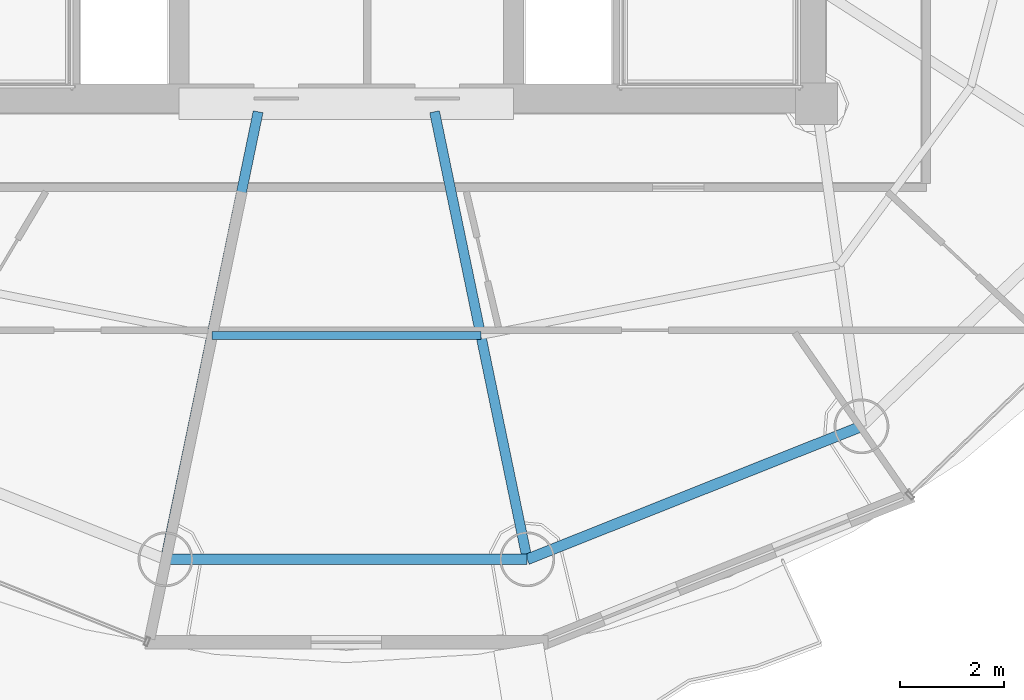
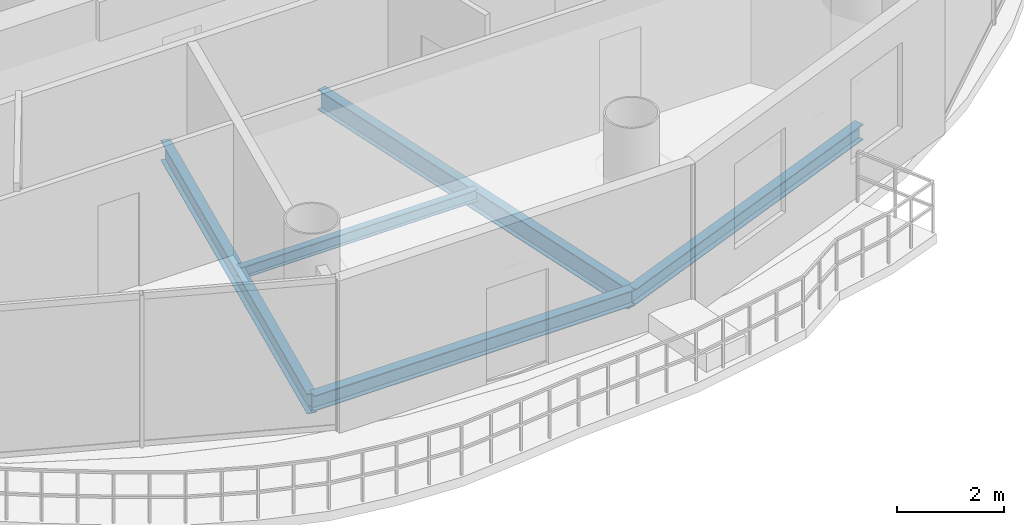
# One storey, part 5 of 23: 5 beams.
"""IFC4 building model written with IfcOpenShell, lengths in metres."""

from ifc_helpers import new_model, si_unit, direction, frame, origin, origin_2d, place, context, subcontext, project, spatial, i_section, extrude, material, material_profile, profile_set, type_object, element, save


model = new_model("IFC4")

# Units and contexts
model_context = context("Model", 3, precision=1e-05, world=origin(), true_north=direction((-0.2419218956, 0.970295726276)))
body_context = subcontext(model_context, "Body", "Model", "MODEL_VIEW")
ifc_project = project(units=[si_unit("LENGTHUNIT", "METRE"), si_unit("AREAUNIT", "SQUARE_METRE"), si_unit("VOLUMEUNIT", "CUBIC_METRE"), si_unit("PLANEANGLEUNIT", "RADIAN"), si_unit("MASSUNIT", "GRAM", prefix="KILO")], contexts=[model_context])

# Site, building, storey
site_placement = place(None, origin())
site = spatial("IfcSite", under=ifc_project, at=site_placement, CompositionType="ELEMENT")
building_placement = place(site_placement, origin())
building = spatial("IfcBuilding", under=site, at=building_placement, Name="Cobrevalo Terracotta Tower", CompositionType="ELEMENT")
storey_placement = place(building_placement, frame((0.0, 0.0, 248.199951171875)))
storey = spatial("IfcBuildingStorey", under=building, at=storey_placement, Name="L65", CompositionType="ELEMENT", Elevation=248.199951171875)

# Beams
ifc_material = material(Name="Steel S355", Category="steel")
ifc_material_profile_1 = material_profile(ifc_material, i_section(OverallWidth=0.19091796875, OverallDepth=0.4599609375, WebThickness=0.010009765625, FlangeThickness=0.01611328125, at=origin_2d()), Name="W 460x82")
ifc_profile_set_1 = profile_set([ifc_material_profile_1], Name="Steel S355")
beam_type_1 = type_object("IfcBeamType", Name="Structural Beam W 460x82 (Steel S355)", PredefinedType="BEAM", material=ifc_profile_set_1)
for number, where, z_axis, x_axis, name in (
    (1, (34.537109375, 10.07763671875, -0.489990234375), (0.202781841237, 0.9792239401, 0.0), (-0.9792239401, 0.202781841237, 0.0), "L65 radial floor girder 12"),
    (2, (41.462890625, 10.07763671875, -0.489990234375), (-0.202781841237, 0.9792239401, 0.0), (-0.9792239401, -0.202781841237, 0.0), "L65 radial floor girder 13"),
):
    element("IfcBeam", number, at=place(storey_placement, frame(where, z_axis=z_axis, x_axis=x_axis)), inside=storey, type_object=beam_type_1, Name=name, PredefinedType="BEAM", context=body_context, shape_type="SweptSolid", body=[
        extrude(i_section(OverallWidth=0.19091796875, OverallDepth=0.4599609375, WebThickness=0.010009765625, FlangeThickness=0.01611328125, at=origin_2d()), origin(), (0.0, 0.0, 1.0), 8.749267578125),
    ])
ifc_material_profile_2 = material_profile(ifc_material, i_section(OverallWidth=0.14794921875, OverallDepth=0.26611328125, WebThickness=0.007568359375, FlangeThickness=0.012939453125, at=origin_2d()), Name="W 250x44.8")
ifc_profile_set_2 = profile_set([ifc_material_profile_2], Name="Steel S355")
beam_type_2 = type_object("IfcBeamType", Name="Structural Joist W 250x44.8 (Steel S355)", PredefinedType="JOIST", material=ifc_profile_set_2)
beam_1_placement = place(storey_placement, frame((35.42431640625, 14.361328125, -0.39306640625), z_axis=(1.0, 0.0, 0.0), x_axis=(0.0, 1.0, 0.0)))
element("IfcBeam", 3, at=beam_1_placement, inside=storey, type_object=beam_type_2, Name="L65 circumferential secondary floor joist 12", PredefinedType="JOIST", context=body_context, shape_type="SweptSolid", body=[
    extrude(i_section(OverallWidth=0.14794921875, OverallDepth=0.26611328125, WebThickness=0.007568359375, FlangeThickness=0.012939453125, at=origin_2d()), origin(), (0.0, 0.0, 1.0), 5.1513671875),
])
ifc_material_profile_3 = material_profile(ifc_material, i_section(OverallWidth=0.205078125, OverallDepth=0.35400390625, WebThickness=0.009521484375, FlangeThickness=0.016845703125, at=origin_2d()), Name="W 360x79")
ifc_profile_set_3 = profile_set([ifc_material_profile_3], Name="Steel S355")
beam_type_3 = type_object("IfcBeamType", Name="Structural Spandrel W 360x79 (Steel S355)", PredefinedType="SPANDREL", material=ifc_profile_set_3)
beam_2_placement = place(storey_placement, frame((34.537109375, 10.07763671875, -0.43701171875), z_axis=(1.0, 0.0, 0.0), x_axis=(0.0, 1.0, 0.0)))
element("IfcBeam", 4, at=beam_2_placement, inside=storey, type_object=beam_type_3, Name="L65 perimeter ring spandrel 12", PredefinedType="SPANDREL", context=body_context, shape_type="SweptSolid", body=[
    extrude(i_section(OverallWidth=0.205078125, OverallDepth=0.35400390625, WebThickness=0.009521484375, FlangeThickness=0.016845703125, at=origin_2d()), origin(), (0.0, 0.0, 1.0), 6.92578125),
])
beam_3_placement = place(storey_placement, frame((41.462890625, 10.07763671875, -0.43701171875), z_axis=(0.929149986048, 0.369702993533, 0.0), x_axis=(-0.369702993533, 0.929149986048, 0.0)))
element("IfcBeam", 5, at=beam_3_placement, inside=storey, type_object=beam_type_3, Name="L65 perimeter ring spandrel 13", PredefinedType="SPANDREL", context=body_context, shape_type="SweptSolid", body=[
    extrude(i_section(OverallWidth=0.205078125, OverallDepth=0.35400390625, WebThickness=0.009521484375, FlangeThickness=0.016845703125, at=origin_2d()), origin(), (0.0, 0.0, 1.0), 6.88623046875),
])

save(model, "model.ifc")
